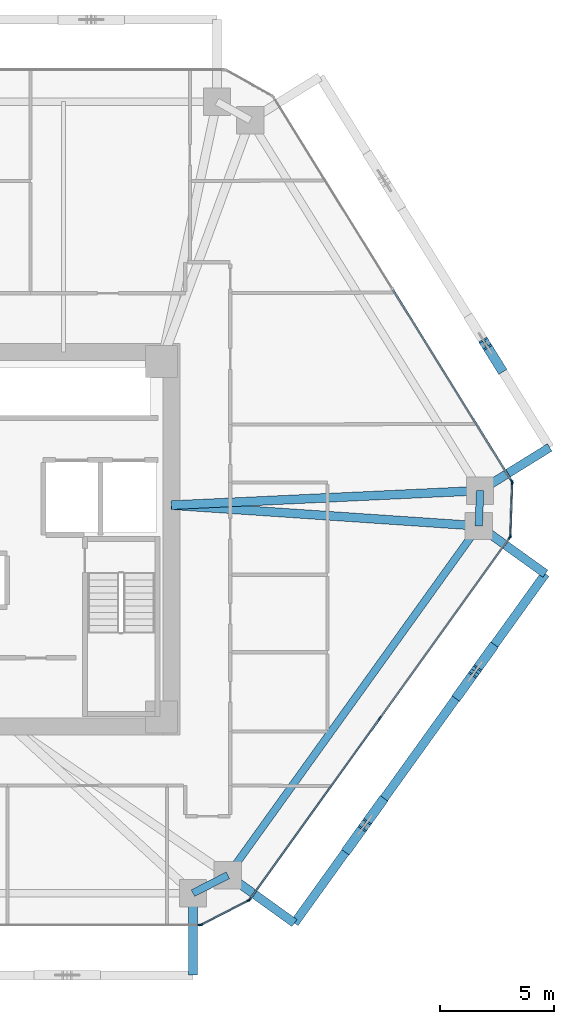
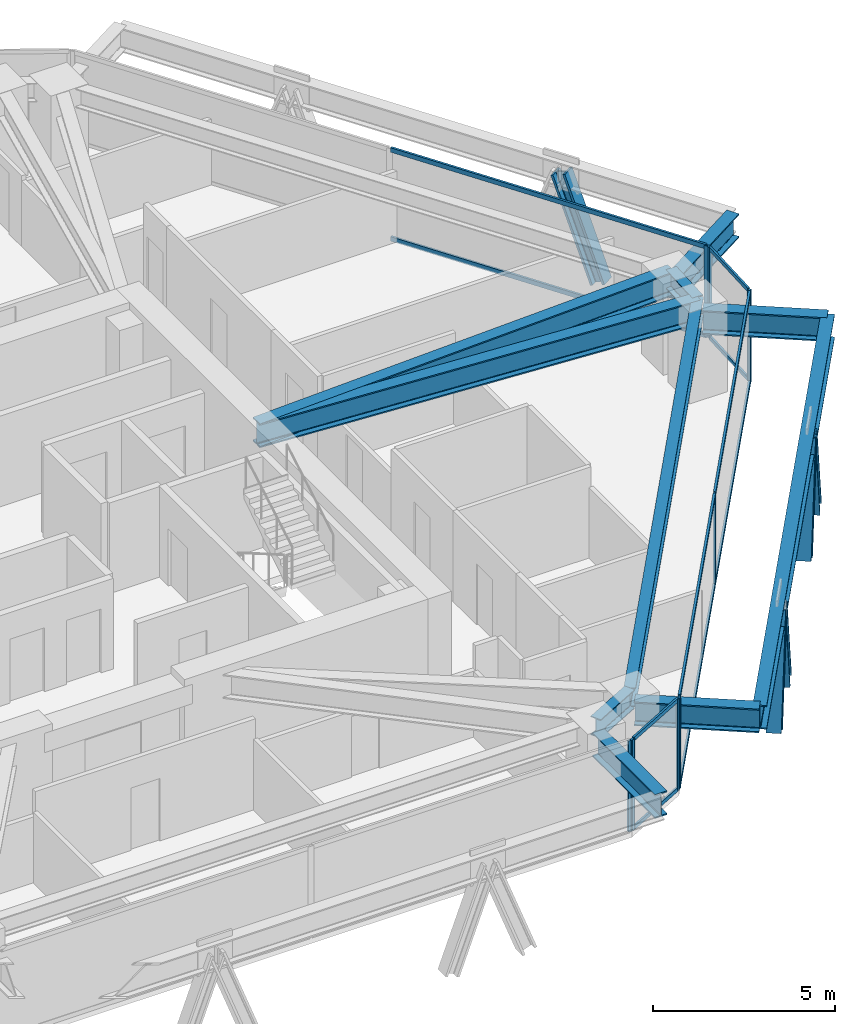
# One storey, part 5 of 16: 24 members, 10 beams, 5 elements without a shape of their own.
"""IFC4 building model written with IfcOpenShell, lengths in metres."""

from ifc_helpers import new_model, si_unit, direction, frame, origin, origin_2d, place, context, subcontext, project, spatial, rectangle, i_section, extrude, source, transform, mapped, material, layer, layer_set, material_profile, profile_set, type_object, type_shapes, element, aggregate, save


model = new_model("IFC4")

# Units and contexts
model_context = context("Model", 3, precision=1e-05, world=origin(), true_north=direction((0.0, 1.0)))
body_context = subcontext(model_context, "Body", "Model", "MODEL_VIEW")
ifc_project = project(units=[si_unit("LENGTHUNIT", "METRE"), si_unit("AREAUNIT", "SQUARE_METRE"), si_unit("VOLUMEUNIT", "CUBIC_METRE"), si_unit("PLANEANGLEUNIT", "RADIAN"), si_unit("MASSUNIT", "GRAM", prefix="KILO")], contexts=[model_context])

# Site, building, storey
site_placement = place(None, origin())
site = spatial("IfcSite", under=ifc_project, at=site_placement, CompositionType="ELEMENT")
building_placement = place(site_placement, origin())
building = spatial("IfcBuilding", under=site, at=building_placement, Name="Durnholm Broadcast Tower", CompositionType="ELEMENT")
storey_placement = place(building_placement, frame((0.0, 0.0, 110.699951171875)))
storey = spatial("IfcBuildingStorey", under=building, at=storey_placement, Name="L29", CompositionType="ELEMENT", Elevation=110.699951171875)

# Beams
ifc_material_1 = material(Name="Steel ASTM A992 Grade 50", Category="steel")
ifc_material_profile_1 = material_profile(ifc_material_1, i_section(OverallWidth=0.385009765625, OverallDepth=0.802978515625, WebThickness=0.023681640625, FlangeThickness=0.0419921875, FilletRadius=0.032958984375, at=origin_2d()), Name="W30X261")
ifc_profile_set_1 = profile_set([ifc_material_profile_1], Name="Steel ASTM A992 Grade 50")
beam_type_1 = type_object("IfcBeamType", Name="BM-EXO-TIE", PredefinedType="USERDEFINED", material=ifc_profile_set_1)
shared_shape_1 = source(origin(), body_context, "Body", "SweptSolid", [
    extrude(i_section(OverallWidth=0.385009765625, OverallDepth=0.802978515625, WebThickness=0.023681640625, FlangeThickness=0.0419921875, FilletRadius=0.032958984375, at=origin_2d()), origin(), (0.0, 0.0, 1.0), 3.4560546875),
])
for number, where, z_axis, x_axis, name in (
    (1, (11.176025390625, -15.680908203125, 2.30859375), (0.0, -1.0, 0.0), (1.0, 0.0, 0.0), "L29 exoskeleton stand-off tie bracket F1.2"),
    (2, (12.826904296875, -14.834228515625, 2.30859375), (0.812164951739, -0.583427880005, 0.0), (0.583427880005, 0.812164951739, 0.0), "L29 exoskeleton stand-off tie bracket F2.1"),
    (3, (23.844970703125, 0.5029296875, 2.30859375), (0.812164951739, -0.583427880005, 0.0), (0.583427880005, 0.812164951739, 0.0), "L29 exoskeleton stand-off tie bracket F2.2"),
    (4, (23.903076171875, 2.21240234375, 2.30859375), (0.849795112316, 0.527113144481, 0.0), (-0.527113144481, 0.849795112316, 0.0), "L29 exoskeleton stand-off tie bracket F3.1"),
):
    element("IfcBeam", number, at=place(storey_placement, frame(where, z_axis=z_axis, x_axis=x_axis)), inside=storey, type_object=beam_type_1, Name=name, ObjectType="GIRDER", PredefinedType="USERDEFINED", context=body_context, shape_type="MappedRepresentation", body=[
        mapped(shared_shape_1, transform((0.0, 0.0, 0.0), x_axis=(1.0, 0.0, 0.0), y_axis=(0.0, 1.0, 0.0), z_axis=(0.0, 0.0, 1.0), scale=1.0)),
    ])
ifc_material_profile_2 = material_profile(ifc_material_1, i_section(OverallWidth=0.3291015625, OverallDepth=0.635009765625, WebThickness=0.017822265625, FlangeThickness=0.031005859375, FilletRadius=0.02783203125, at=origin_2d()), Name="W24X162")
ifc_profile_set_2 = profile_set([ifc_material_profile_2], Name="Steel ASTM A992 Grade 50")
beam_type_2 = type_object("IfcBeamType", Name="STL-SP-W24X162", PredefinedType="SPANDREL", material=ifc_profile_set_2)
shared_shape_2 = source(origin(), body_context, "Body", "SweptSolid", [
    extrude(i_section(OverallWidth=0.3291015625, OverallDepth=0.635009765625, WebThickness=0.017822265625, FlangeThickness=0.031005859375, FilletRadius=0.02783203125, at=origin_2d()), origin(), (0.0, 0.0, 1.0), 18.884521484375),
])
beam_1_placement = place(storey_placement, frame((23.72802734375, 0.5869140625, 2.7275390625), z_axis=(-0.583443434414, -0.812153777827, 0.0), x_axis=(0.812153777827, -0.583443434414, 0.0)))
element("IfcBeam", 5, at=beam_1_placement, inside=storey, type_object=beam_type_2, Name="L29 perimeter spandrel girder 09", PredefinedType="SPANDREL", context=body_context, shape_type="MappedRepresentation", body=[
    mapped(shared_shape_2, transform((0.0, 0.0, 0.0), x_axis=(1.0, 0.0, 0.0), y_axis=(0.0, 1.0, 0.0), z_axis=(0.0, 0.0, 1.0), scale=1.0)),
])
shared_shape_3 = source(origin(), body_context, "Body", "SweptSolid", [
    extrude(i_section(OverallWidth=0.3291015625, OverallDepth=0.635009765625, WebThickness=0.017822265625, FlangeThickness=0.031005859375, FilletRadius=0.02783203125, at=origin_2d()), origin(), (0.0, 0.0, 1.0), 1.723876953125),
])
beam_2_placement = place(storey_placement, frame((12.7099609375, -14.750244140625, 2.7275390625), z_axis=(-0.889762904339, -0.456423020959, 0.0), x_axis=(0.456423020959, -0.889762904339, 0.0)))
element("IfcBeam", 6, at=beam_2_placement, inside=storey, type_object=beam_type_2, Name="L29 perimeter spandrel girder 10", PredefinedType="SPANDREL", context=body_context, shape_type="MappedRepresentation", body=[
    mapped(shared_shape_3, transform((0.0, 0.0, 0.0), x_axis=(1.0, 0.0, 0.0), y_axis=(0.0, 1.0, 0.0), z_axis=(0.0, 0.0, 1.0), scale=1.0)),
])
shared_shape_4 = source(origin(), body_context, "Body", "SweptSolid", [
    extrude(i_section(OverallWidth=0.3291015625, OverallDepth=0.635009765625, WebThickness=0.017822265625, FlangeThickness=0.031005859375, FilletRadius=0.02783203125, at=origin_2d()), origin(), (0.0, 0.0, 1.0), 1.55078125),
])
type_shapes(beam_type_2, [shared_shape_2, shared_shape_3, shared_shape_4])
beam_3_placement = place(storey_placement, frame((23.78076171875, 2.13671875, 2.7275390625), z_axis=(-0.03400678419, -0.999421602042, 0.0), x_axis=(0.999421602042, -0.03400678419, 0.0)))
element("IfcBeam", 7, at=beam_3_placement, inside=storey, type_object=beam_type_2, Name="L29 perimeter spandrel girder 08", PredefinedType="SPANDREL", context=body_context, shape_type="MappedRepresentation", body=[
    mapped(shared_shape_4, transform((0.0, 0.0, 0.0), x_axis=(1.0, 0.0, 0.0), y_axis=(0.0, 1.0, 0.0), z_axis=(0.0, 0.0, 1.0), scale=1.0)),
])
ifc_material_profile_3 = material_profile(ifc_material_1, i_section(OverallWidth=0.385009765625, OverallDepth=0.802978515625, WebThickness=0.023681640625, FlangeThickness=0.0419921875, FilletRadius=0.032958984375, at=origin_2d()), Name="W30X261")
ifc_profile_set_3 = profile_set([ifc_material_profile_3], Name="Steel ASTM A992 Grade 50")
beam_type_3 = type_object("IfcBeamType", Name="STL-GR-W30X261", PredefinedType="USERDEFINED", material=ifc_profile_set_3)
shared_shape_5 = source(origin(), body_context, "Body", "SweptSolid", [
    extrude(i_section(OverallWidth=0.385009765625, OverallDepth=0.802978515625, WebThickness=0.023681640625, FlangeThickness=0.0419921875, FilletRadius=0.032958984375, at=origin_2d()), origin(), (0.0, 0.0, 1.0), 13.570556640625),
])
beam_4_placement = place(storey_placement, frame((10.22509765625, 1.5, 2.6435546875), z_axis=(0.99889869961, 0.046918950518, 0.0), x_axis=(-0.046918950518, 0.99889869961, 0.0)))
element("IfcBeam", 8, at=beam_4_placement, inside=storey, type_object=beam_type_3, Name="L29 radial primary floor girder 08", ObjectType="GIRDER", PredefinedType="USERDEFINED", context=body_context, shape_type="MappedRepresentation", body=[
    mapped(shared_shape_5, transform((0.0, 0.0, 0.0), x_axis=(1.0, 0.0, 0.0), y_axis=(0.0, 1.0, 0.0), z_axis=(0.0, 0.0, 1.0), scale=1.0)),
])
shared_shape_6 = source(origin(), body_context, "Body", "SweptSolid", [
    extrude(i_section(OverallWidth=0.385009765625, OverallDepth=0.802978515625, WebThickness=0.023681640625, FlangeThickness=0.0419921875, FilletRadius=0.032958984375, at=origin_2d()), origin(), (0.0, 0.0, 1.0), 13.53369140625),
])
type_shapes(beam_type_3, [shared_shape_5, shared_shape_6])
beam_5_placement = place(storey_placement, frame((10.22509765625, 1.5, 2.6435546875), z_axis=(0.99772148964, -0.067467244725, 0.0), x_axis=(0.067467244725, 0.99772148964, 0.0)))
element("IfcBeam", 9, at=beam_5_placement, inside=storey, type_object=beam_type_3, Name="L29 radial primary floor girder 09", ObjectType="GIRDER", PredefinedType="USERDEFINED", context=body_context, shape_type="MappedRepresentation", body=[
    mapped(shared_shape_6, transform((0.0, 0.0, 0.0), x_axis=(1.0, 0.0, 0.0), y_axis=(0.0, 1.0, 0.0), z_axis=(0.0, 0.0, 1.0), scale=1.0)),
])
shared_shape_7 = source(origin(), body_context, "Body", "SweptSolid", [
    extrude(i_section(OverallWidth=0.385009765625, OverallDepth=0.802978515625, WebThickness=0.023681640625, FlangeThickness=0.0419921875, FilletRadius=0.032958984375, at=origin_2d()), origin(), (0.0, 0.0, 1.0), 18.884521484375),
])
type_shapes(beam_type_1, [shared_shape_1, shared_shape_7])
beam_6_placement = place(storey_placement, frame((15.6337890625, -16.8505859375, 2.30859375), z_axis=(0.583443434414, 0.812153777827, 0.0), x_axis=(-0.812153777827, 0.583443434414, 0.0)))
element("IfcBeam", 10, at=beam_6_placement, inside=storey, type_object=beam_type_1, Name="L29 exoskeleton collector spandrel F2", PredefinedType="SPANDREL", context=body_context, shape_type="MappedRepresentation", body=[
    mapped(shared_shape_7, transform((0.0, 0.0, 0.0), x_axis=(1.0, 0.0, 0.0), y_axis=(0.0, 1.0, 0.0), z_axis=(0.0, 0.0, 1.0), scale=1.0)),
])

# Members
ifc_material_2 = material(Name="Steel ASTM A913 Grade 65", Category="steel")
ifc_material_profile_4 = material_profile(ifc_material_2, i_section(OverallWidth=0.424072265625, OverallDepth=0.47412109375, WebThickness=0.047607421875, FlangeThickness=0.0771484375, FilletRadius=0.030517578125, at=origin_2d()), Name="W14X426")
ifc_profile_set_4 = profile_set([ifc_material_profile_4], Name="Steel ASTM A913 Grade 65")
member_type_1 = type_object("IfcMemberType", Name="STL-DG-W14X426", PredefinedType="BRACE", material=ifc_profile_set_4)
shared_shape_8 = source(origin(), body_context, "Body", "SweptSolid", [
    extrude(i_section(OverallWidth=0.424072265625, OverallDepth=0.47412109375, WebThickness=0.047607421875, FlangeThickness=0.0771484375, FilletRadius=0.030517578125, at=origin_2d()), origin(), (0.0, 0.0, 1.0), 3.523193359375),
])
type_shapes(member_type_1, [shared_shape_8])
for number, where, z_axis, x_axis, name in (
    (11, (17.9990234375, -13.558349609375, -0.991455078125), (0.204287819296, 0.284395254542, 0.936688756248), (-0.812179469647, 0.583407669717, 0.0), "L29 stand-off diagrid brace F2.D1.1"),
    (12, (19.438720703125, -11.55419921875, -0.991455078125), (-0.204350195342, -0.284454917557, 0.936657033039), (0.812153063014, -0.583444429434, 0.0), "L29 stand-off diagrid brace F2.D1.2"),
    (13, (22.846923828125, -6.81005859375, -0.991455078125), (0.204350195342, 0.284454917557, 0.936657033039), (-0.812153063014, 0.583444429434, 0.0), "L29 stand-off diagrid brace F2.D2.1"),
    (14, (24.28662109375, -4.805908203125, -0.991455078125), (-0.204287819296, -0.284395254542, 0.936688756248), (0.812179469647, -0.583407669717, 0.0), "L29 stand-off diagrid brace F2.D2.2"),
    (15, (24.66552734375, 7.539794921875, -0.991455078125), (-0.184602835855, 0.297623566065, 0.936665364961), (-0.849805205368, -0.527096872433, 0.0), "L29 stand-off diagrid brace F3.D1.1"),
):
    element("IfcMember", number, at=place(storey_placement, frame(where, z_axis=z_axis, x_axis=x_axis)), inside=storey, type_object=member_type_1, Name=name, PredefinedType="BRACE", context=body_context, shape_type="MappedRepresentation", body=[
        mapped(shared_shape_8, transform((0.0, 0.0, 0.0), x_axis=(1.0, 0.0, 0.0), y_axis=(0.0, 1.0, 0.0), z_axis=(0.0, 0.0, 1.0), scale=1.0)),
    ])

# Curtain wall, members
ifc_material_3 = material(Name="Aluminium and Solar Control IGU", Category="aluminium")
ifc_layer_1 = layer(ifc_material_3, 0.1650390625)
ifc_layer_set_1 = layer_set([ifc_layer_1], Name="Aluminium and Solar Control IGU")
curtain_wall_type_1 = type_object("IfcCurtainWallType", Name="CW-SYS-5", PredefinedType="NOTDEFINED", material=ifc_layer_set_1)
curtain_wall_1_placement = place(storey_placement, origin())
curtain_wall_1 = element("IfcCurtainWall", 16, at=curtain_wall_1_placement, inside=storey, type_object=curtain_wall_type_1, Name="L29 curtain wall CW-CORNER CW-L29-CRN-07", PredefinedType="NOTDEFINED")
ifc_material_4 = material(Name="Aluminium 6063-T6", Category="aluminium")
ifc_material_profile_5 = material_profile(ifc_material_4, rectangle(XDim=0.06494140625, YDim=0.1650390625, at=origin_2d()), Name="CWM65X165")
ifc_profile_set_5 = profile_set([ifc_material_profile_5], Name="Aluminium 6063-T6")
member_type_2 = type_object("IfcMemberType", Name="CW-SYS-5-MUL", PredefinedType="MULLION", material=ifc_profile_set_5)
shared_shape_9 = source(origin(), body_context, "Body", "SweptSolid", [
    extrude(rectangle(XDim=0.06494140625, YDim=0.1650390625, at=origin_2d()), origin(), (0.0, 0.0, 1.0), 3.06005859375),
])
type_shapes(member_type_2, [shared_shape_9])
member_1_placement = place(storey_placement, frame((25.193115234375, 2.481201171875, 0.0), z_axis=(0.0, 0.0, 1.0), x_axis=(0.999424655155, -0.033916937775, 0.0)))
member_1 = element("IfcMember", 17, at=member_1_placement, type_object=member_type_2, Name="CW-CORNER mullion 1", PredefinedType="MULLION", context=body_context, shape_type="MappedRepresentation", body=[
    mapped(shared_shape_9, transform((0.0, 0.0, 0.0), x_axis=(1.0, 0.0, 0.0), y_axis=(0.0, 1.0, 0.0), z_axis=(0.0, 0.0, 1.0), scale=1.0)),
])
member_2_placement = place(storey_placement, frame((25.114013671875, 0.1474609375, 0.0), z_axis=(0.0, 0.0, 1.0), x_axis=(0.999424655155, -0.033916937775, 0.0)))
member_2 = element("IfcMember", 18, at=member_2_placement, type_object=member_type_2, Name="CW-CORNER mullion 2", PredefinedType="MULLION", context=body_context, shape_type="MappedRepresentation", body=[
    mapped(shared_shape_9, transform((0.0, 0.0, 0.0), x_axis=(1.0, 0.0, 0.0), y_axis=(0.0, 1.0, 0.0), z_axis=(0.0, 0.0, 1.0), scale=1.0)),
])

curtain_wall_2_placement = place(storey_placement, origin())
curtain_wall_2 = element("IfcCurtainWall", 19, at=curtain_wall_2_placement, inside=storey, type_object=curtain_wall_type_1, Name="L29 curtain wall CW-CORNER CW-L29-CRN-09", PredefinedType="NOTDEFINED")
member_3_placement = place(storey_placement, frame((13.620849609375, -15.8564453125, 0.0), z_axis=(0.0, 0.0, 1.0), x_axis=(0.45637332267, -0.889788396392, 0.0)))
member_3 = element("IfcMember", 20, at=member_3_placement, type_object=member_type_2, Name="CW-CORNER mullion 1", PredefinedType="MULLION", context=body_context, shape_type="MappedRepresentation", body=[
    mapped(shared_shape_9, transform((0.0, 0.0, 0.0), x_axis=(1.0, 0.0, 0.0), y_axis=(0.0, 1.0, 0.0), z_axis=(0.0, 0.0, 1.0), scale=1.0)),
])
member_4_placement = place(storey_placement, frame((11.543212890625, -16.922119140625, 0.0), z_axis=(0.0, 0.0, 1.0), x_axis=(0.45637332267, -0.889788396392, 0.0)))
member_4 = element("IfcMember", 21, at=member_4_placement, type_object=member_type_2, Name="CW-CORNER mullion 2", PredefinedType="MULLION", context=body_context, shape_type="MappedRepresentation", body=[
    mapped(shared_shape_9, transform((0.0, 0.0, 0.0), x_axis=(1.0, 0.0, 0.0), y_axis=(0.0, 1.0, 0.0), z_axis=(0.0, 0.0, 1.0), scale=1.0)),
])

# Curtain wall, member
ifc_layer_2 = layer(ifc_material_3, 0.18994140625)
ifc_layer_set_2 = layer_set([ifc_layer_2], Name="Aluminium and Solar Control IGU")
curtain_wall_type_2 = type_object("IfcCurtainWallType", Name="CW-SYS-3", PredefinedType="NOTDEFINED", material=ifc_layer_set_2)
curtain_wall_3_placement = place(storey_placement, origin())
curtain_wall_3 = element("IfcCurtainWall", 22, at=curtain_wall_3_placement, inside=storey, type_object=curtain_wall_type_2, Name="L29 curtain wall CW-Z12-VIS CW-L29-F06", PredefinedType="NOTDEFINED")
ifc_material_profile_6 = material_profile(ifc_material_4, rectangle(XDim=0.070068359375, YDim=0.18994140625, at=origin_2d()), Name="CWM70X190")
ifc_profile_set_6 = profile_set([ifc_material_profile_6], Name="Aluminium 6063-T6")
member_type_3 = type_object("IfcMemberType", Name="CW-SYS-3-MUL", PredefinedType="MULLION", material=ifc_profile_set_6)
shared_shape_10 = source(origin(), body_context, "Body", "SweptSolid", [
    extrude(rectangle(XDim=0.070068359375, YDim=0.18994140625, at=origin_2d()), origin(), (0.0, 0.0, 1.0), 3.06005859375),
])
type_shapes(member_type_3, [shared_shape_10])
member_5_placement = place(storey_placement, frame((25.17578125, 2.54345703125, 0.0), z_axis=(0.0, 0.0, 1.0), x_axis=(0.849799925229, 0.527105385176, 0.0)))
member_5 = element("IfcMember", 23, at=member_5_placement, type_object=member_type_3, Name="CW-Z12-VIS mullion 3", PredefinedType="MULLION", context=body_context, shape_type="MappedRepresentation", body=[
    mapped(shared_shape_10, transform((0.0, 0.0, 0.0), x_axis=(1.0, 0.0, 0.0), y_axis=(0.0, 1.0, 0.0), z_axis=(0.0, 0.0, 1.0), scale=1.0)),
])

# Curtain wall, members
curtain_wall_4_placement = place(storey_placement, origin())
curtain_wall_4 = element("IfcCurtainWall", 24, at=curtain_wall_4_placement, inside=storey, type_object=curtain_wall_type_2, Name="L29 curtain wall CW-Z12-VIS CW-L29-F08", PredefinedType="NOTDEFINED")
member_6_placement = place(storey_placement, frame((25.092529296875, 0.086669921875, 0.0), z_axis=(0.0, 0.0, 1.0), x_axis=(0.812152312759, -0.583445473786, 0.0)))
member_6 = element("IfcMember", 25, at=member_6_placement, type_object=member_type_3, Name="CW-Z12-VIS mullion 1", PredefinedType="MULLION", context=body_context, shape_type="MappedRepresentation", body=[
    mapped(shared_shape_10, transform((0.0, 0.0, 0.0), x_axis=(1.0, 0.0, 0.0), y_axis=(0.0, 1.0, 0.0), z_axis=(0.0, 0.0, 1.0), scale=1.0)),
])
member_7_placement = place(storey_placement, frame((19.38134765625, -7.86328125, 0.0), z_axis=(0.0, 0.0, 1.0), x_axis=(0.812152312759, -0.583445473786, 0.0)))
member_7 = element("IfcMember", 26, at=member_7_placement, type_object=member_type_3, Name="CW-Z12-VIS mullion 2", PredefinedType="MULLION", context=body_context, shape_type="MappedRepresentation", body=[
    mapped(shared_shape_10, transform((0.0, 0.0, 0.0), x_axis=(1.0, 0.0, 0.0), y_axis=(0.0, 1.0, 0.0), z_axis=(0.0, 0.0, 1.0), scale=1.0)),
])
member_8_placement = place(storey_placement, frame((13.670166015625, -15.813232421875, 0.0), z_axis=(0.0, 0.0, 1.0), x_axis=(0.812152312759, -0.583445473786, 0.0)))
member_8 = element("IfcMember", 27, at=member_8_placement, type_object=member_type_3, Name="CW-Z12-VIS mullion 3", PredefinedType="MULLION", context=body_context, shape_type="MappedRepresentation", body=[
    mapped(shared_shape_10, transform((0.0, 0.0, 0.0), x_axis=(1.0, 0.0, 0.0), y_axis=(0.0, 1.0, 0.0), z_axis=(0.0, 0.0, 1.0), scale=1.0)),
])

# Curtain wall, member
curtain_wall_5_placement = place(storey_placement, origin())
curtain_wall_5 = element("IfcCurtainWall", 28, at=curtain_wall_5_placement, inside=storey, type_object=curtain_wall_type_2, Name="L29 curtain wall CW-Z12-VIS CW-L29-F10", PredefinedType="NOTDEFINED")
member_9_placement = place(storey_placement, frame((11.479248046875, -16.93701171875, 0.0), z_axis=(0.0, 0.0, 1.0), x_axis=(0.0, -1.0, 0.0)))
member_9 = element("IfcMember", 29, at=member_9_placement, type_object=member_type_3, Name="CW-Z12-VIS mullion 1", PredefinedType="MULLION", context=body_context, shape_type="MappedRepresentation", body=[
    mapped(shared_shape_10, transform((0.0, 0.0, 0.0), x_axis=(1.0, 0.0, 0.0), y_axis=(0.0, 1.0, 0.0), z_axis=(0.0, 0.0, 1.0), scale=1.0)),
])
aggregate(curtain_wall_5, [member_9])

# Member
ifc_material_profile_7 = material_profile(ifc_material_4, rectangle(XDim=0.06494140625, YDim=0.1298828125, at=origin_2d()), Name="CWT65X130")
ifc_profile_set_7 = profile_set([ifc_material_profile_7], Name="Aluminium 6063-T6")
member_type_4 = type_object("IfcMemberType", Name="CW-SYS-5-TRN", PredefinedType="USERDEFINED", material=ifc_profile_set_7)
shared_shape_11 = source(origin(), body_context, "Body", "SweptSolid", [
    extrude(rectangle(XDim=0.06494140625, YDim=0.1298828125, at=origin_2d()), origin(), (0.0, 0.0, 1.0), 2.27001953125),
])
type_shapes(member_type_4, [shared_shape_11])
member_10_placement = place(storey_placement, frame((25.192138671875, 2.44873046875, 0.032470703125), z_axis=(-0.03398444704, -0.999422361847, 0.0), x_axis=(0.999422361847, -0.03398444704, 0.0)))
member_10 = element("IfcMember", 30, at=member_10_placement, type_object=member_type_4, Name="CW-CORNER transom 1.1", ObjectType="TRANSOM", PredefinedType="USERDEFINED", context=body_context, shape_type="MappedRepresentation", body=[
    mapped(shared_shape_11, transform((0.0, 0.0, 0.0), x_axis=(1.0, 0.0, 0.0), y_axis=(0.0, 1.0, 0.0), z_axis=(0.0, 0.0, 1.0), scale=1.0)),
])

member_11_placement = place(storey_placement, frame((25.192138671875, 2.44873046875, 3.027587890625), z_axis=(-0.03398444704, -0.999422361847, 0.0), x_axis=(0.999422361847, -0.03398444704, 0.0)))
member_11 = element("IfcMember", 31, at=member_11_placement, type_object=member_type_4, Name="CW-CORNER transom 1.2", ObjectType="TRANSOM", PredefinedType="USERDEFINED", context=body_context, shape_type="MappedRepresentation", body=[
    mapped(shared_shape_11, transform((0.0, 0.0, 0.0), x_axis=(1.0, 0.0, 0.0), y_axis=(0.0, 1.0, 0.0), z_axis=(0.0, 0.0, 1.0), scale=1.0)),
])

aggregate(curtain_wall_1, [member_1, member_2, member_10, member_11])

member_12_placement = place(storey_placement, frame((13.591796875, -15.871337890625, 0.032470703125), z_axis=(-0.889798425843, -0.456353767781, 0.0), x_axis=(0.456353767781, -0.889798425843, 0.0)))
member_12 = element("IfcMember", 32, at=member_12_placement, type_object=member_type_4, Name="CW-CORNER transom 1.1", ObjectType="TRANSOM", PredefinedType="USERDEFINED", context=body_context, shape_type="MappedRepresentation", body=[
    mapped(shared_shape_11, transform((0.0, 0.0, 0.0), x_axis=(1.0, 0.0, 0.0), y_axis=(0.0, 1.0, 0.0), z_axis=(0.0, 0.0, 1.0), scale=1.0)),
])

member_13_placement = place(storey_placement, frame((13.591796875, -15.871337890625, 3.027587890625), z_axis=(-0.889798425843, -0.456353767781, 0.0), x_axis=(0.456353767781, -0.889798425843, 0.0)))
member_13 = element("IfcMember", 33, at=member_13_placement, type_object=member_type_4, Name="CW-CORNER transom 1.2", ObjectType="TRANSOM", PredefinedType="USERDEFINED", context=body_context, shape_type="MappedRepresentation", body=[
    mapped(shared_shape_11, transform((0.0, 0.0, 0.0), x_axis=(1.0, 0.0, 0.0), y_axis=(0.0, 1.0, 0.0), z_axis=(0.0, 0.0, 1.0), scale=1.0)),
])

aggregate(curtain_wall_2, [member_3, member_4, member_12, member_13])

ifc_material_profile_8 = material_profile(ifc_material_4, rectangle(XDim=0.070068359375, YDim=0.14990234375, at=origin_2d()), Name="CWT70X150")
ifc_profile_set_8 = profile_set([ifc_material_profile_8], Name="Aluminium 6063-T6")
member_type_5 = type_object("IfcMemberType", Name="CW-SYS-3-TRN", PredefinedType="USERDEFINED", material=ifc_profile_set_8)
shared_shape_12 = source(origin(), body_context, "Body", "SweptSolid", [
    extrude(rectangle(XDim=0.070068359375, YDim=0.14990234375, at=origin_2d()), origin(), (0.0, 0.0, 1.0), 9.71875),
])
member_14_placement = place(storey_placement, frame((25.072021484375, 0.05810546875, 0.03515625), z_axis=(-0.583450726174, -0.812148539448, 0.0), x_axis=(0.812148539448, -0.583450726174, 0.0)))
member_14 = element("IfcMember", 34, at=member_14_placement, type_object=member_type_5, Name="CW-Z12-VIS transom 1.1", ObjectType="TRANSOM", PredefinedType="USERDEFINED", context=body_context, shape_type="MappedRepresentation", body=[
    mapped(shared_shape_12, transform((0.0, 0.0, 0.0), x_axis=(1.0, 0.0, 0.0), y_axis=(0.0, 1.0, 0.0), z_axis=(0.0, 0.0, 1.0), scale=1.0)),
])

member_15_placement = place(storey_placement, frame((25.072021484375, 0.05810546875, 3.025146484375), z_axis=(-0.583450726174, -0.812148539448, 0.0), x_axis=(0.812148539448, -0.583450726174, 0.0)))
member_15 = element("IfcMember", 35, at=member_15_placement, type_object=member_type_5, Name="CW-Z12-VIS transom 1.2", ObjectType="TRANSOM", PredefinedType="USERDEFINED", context=body_context, shape_type="MappedRepresentation", body=[
    mapped(shared_shape_12, transform((0.0, 0.0, 0.0), x_axis=(1.0, 0.0, 0.0), y_axis=(0.0, 1.0, 0.0), z_axis=(0.0, 0.0, 1.0), scale=1.0)),
])

member_16_placement = place(storey_placement, frame((19.36083984375, -7.891845703125, 0.03515625), z_axis=(-0.583450726174, -0.812148539448, 0.0), x_axis=(0.812148539448, -0.583450726174, 0.0)))
member_16 = element("IfcMember", 36, at=member_16_placement, type_object=member_type_5, Name="CW-Z12-VIS transom 2.1", ObjectType="TRANSOM", PredefinedType="USERDEFINED", context=body_context, shape_type="MappedRepresentation", body=[
    mapped(shared_shape_12, transform((0.0, 0.0, 0.0), x_axis=(1.0, 0.0, 0.0), y_axis=(0.0, 1.0, 0.0), z_axis=(0.0, 0.0, 1.0), scale=1.0)),
])

member_17_placement = place(storey_placement, frame((19.36083984375, -7.891845703125, 3.025146484375), z_axis=(-0.583450726174, -0.812148539448, 0.0), x_axis=(0.812148539448, -0.583450726174, 0.0)))
member_17 = element("IfcMember", 37, at=member_17_placement, type_object=member_type_5, Name="CW-Z12-VIS transom 2.2", ObjectType="TRANSOM", PredefinedType="USERDEFINED", context=body_context, shape_type="MappedRepresentation", body=[
    mapped(shared_shape_12, transform((0.0, 0.0, 0.0), x_axis=(1.0, 0.0, 0.0), y_axis=(0.0, 1.0, 0.0), z_axis=(0.0, 0.0, 1.0), scale=1.0)),
])

aggregate(curtain_wall_4, [member_6, member_7, member_8, member_14, member_15, member_16, member_17])

shared_shape_13 = source(origin(), body_context, "Body", "SweptSolid", [
    extrude(rectangle(XDim=0.070068359375, YDim=0.14990234375, at=origin_2d()), origin(), (0.0, 0.0, 1.0), 9.859130859375),
])
type_shapes(member_type_5, [shared_shape_12, shared_shape_13])
member_18_placement = place(storey_placement, frame((19.960693359375, 10.951171875, 0.03515625), z_axis=(0.527108872232, -0.849797762303, 0.0), x_axis=(0.849797762303, 0.527108872232, 0.0)))
member_18 = element("IfcMember", 38, at=member_18_placement, type_object=member_type_5, Name="CW-Z12-VIS transom 2.1", ObjectType="TRANSOM", PredefinedType="USERDEFINED", context=body_context, shape_type="MappedRepresentation", body=[
    mapped(shared_shape_13, transform((0.0, 0.0, 0.0), x_axis=(1.0, 0.0, 0.0), y_axis=(0.0, 1.0, 0.0), z_axis=(0.0, 0.0, 1.0), scale=1.0)),
])

member_19_placement = place(storey_placement, frame((19.960693359375, 10.951171875, 3.025146484375), z_axis=(0.527108872232, -0.849797762303, 0.0), x_axis=(0.849797762303, 0.527108872232, 0.0)))
member_19 = element("IfcMember", 39, at=member_19_placement, type_object=member_type_5, Name="CW-Z12-VIS transom 2.2", ObjectType="TRANSOM", PredefinedType="USERDEFINED", context=body_context, shape_type="MappedRepresentation", body=[
    mapped(shared_shape_13, transform((0.0, 0.0, 0.0), x_axis=(1.0, 0.0, 0.0), y_axis=(0.0, 1.0, 0.0), z_axis=(0.0, 0.0, 1.0), scale=1.0)),
])

aggregate(curtain_wall_3, [member_5, member_18, member_19])

save(model, "model.ifc")
